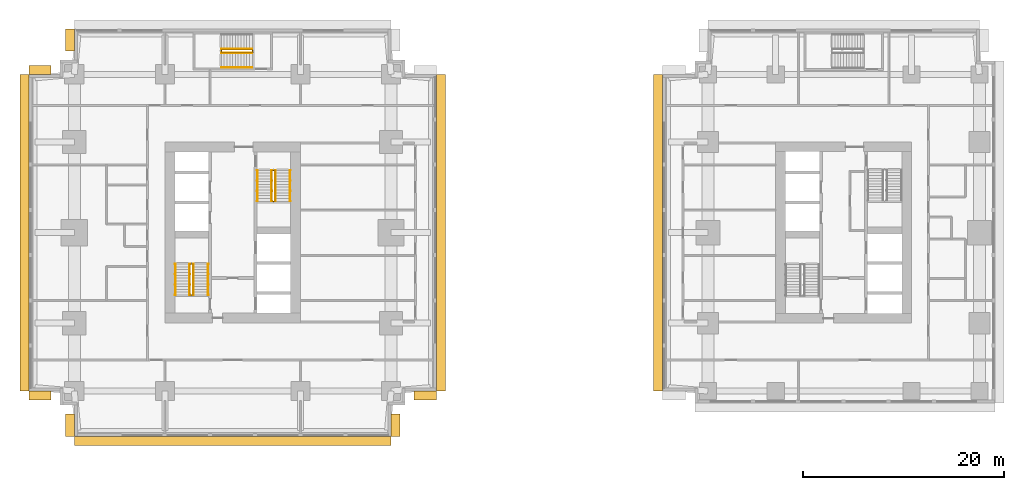
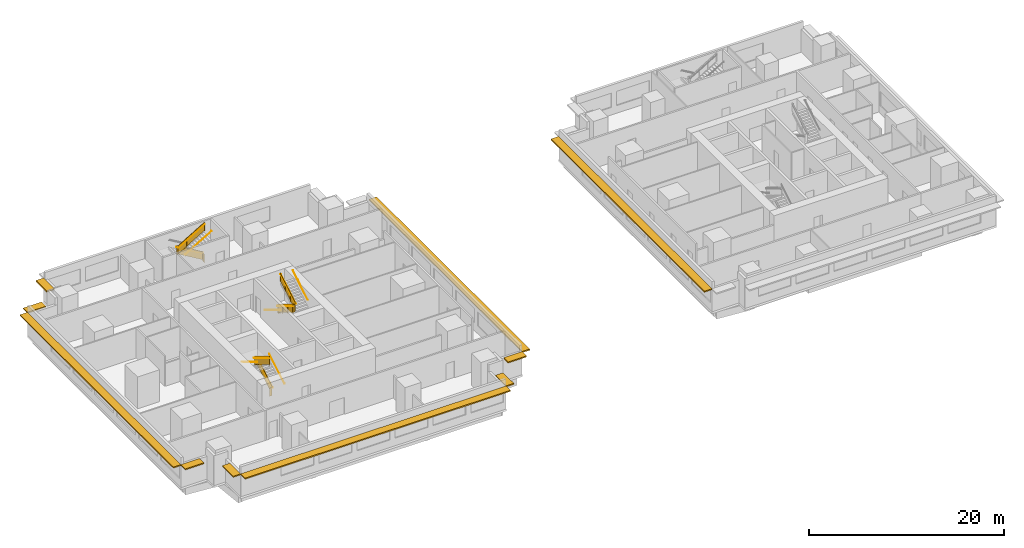
# One storey, part 9 of 11: 14 railings, 10 shading devices.
"""IFC4 building model written with IfcOpenShell, lengths in metres."""

from ifc_helpers import new_model, si_unit, direction, frame, origin, origin_2d, place, context, subcontext, project, spatial, polyline, rectangle, circle, outline, extrude, material, layer, layer_set, type_object, element, save


model = new_model("IFC4")

# Units and contexts
model_context = context("Model", 3, precision=1e-05, world=origin(), true_north=direction((0.0, 1.0)))
body_context = subcontext(model_context, "Body", "Model", "MODEL_VIEW")
ifc_project = project(units=[si_unit("LENGTHUNIT", "METRE"), si_unit("AREAUNIT", "SQUARE_METRE"), si_unit("VOLUMEUNIT", "CUBIC_METRE"), si_unit("PLANEANGLEUNIT", "RADIAN"), si_unit("MASSUNIT", "GRAM", prefix="KILO")], contexts=[model_context])

# Site, building, storey
site_placement = place(None, origin())
site = spatial("IfcSite", under=ifc_project, at=site_placement, CompositionType="ELEMENT")
building_placement = place(site_placement, origin())
building = spatial("IfcBuilding", under=site, at=building_placement, Name="Namib Vertical Campus", CompositionType="ELEMENT")
storey_placement = place(building_placement, frame((0.0, 0.0, 85.0)))
storey = spatial("IfcBuildingStorey", under=building, at=storey_placement, Name="L19", CompositionType="ELEMENT", Elevation=85.0)

# Railings
ifc_material_1 = material(Name="Steel handrail", Category="steel")
railing_type_1 = type_object("IfcRailingType", Name="Handrail 900", PredefinedType="HANDRAIL", material=ifc_material_1)
railing_1_placement = place(storey_placement, frame((17.800048828125, 14.050048828125, 0.166748046875)))
element("IfcRailing", 1, at=railing_1_placement, inside=storey, type_object=railing_type_1, Name="Handrail HR1 A-S1 L19 1", PredefinedType="HANDRAIL", context=body_context, shape_type="SweptSolid", body=[
    extrude(circle(Radius=0.02392578125, at=origin_2d()), frame((0.0, 0.0, 0.8759765625), z_axis=(0.0, 0.859290745958, 0.51148745235), x_axis=(-1.0, 0.0, 0.0)), (0.0, 0.0, 1.0), 3.584228515625),
    extrude(circle(Radius=0.008056640625, at=origin_2d()), frame((0.0, 0.0, 0.8759765625), z_axis=(1.0, 0.0, 0.0), x_axis=(0.0, 0.0, 1.0)), (0.0, 0.0, 1.0), 0.050048828125),
    extrude(circle(Radius=0.008056640625, at=origin_2d()), frame((0.0, 1.026611328125, 1.48681640625), z_axis=(1.0, 0.0, 0.0), x_axis=(0.0, 0.0, 1.0)), (0.0, 0.0, 1.0), 0.050048828125),
    extrude(circle(Radius=0.008056640625, at=origin_2d()), frame((0.0, 2.05322265625, 2.09814453125), z_axis=(1.0, 0.0, 0.0), x_axis=(0.0, 0.0, 1.0)), (0.0, 0.0, 1.0), 0.050048828125),
    extrude(circle(Radius=0.008056640625, at=origin_2d()), frame((0.0, 3.079833984375, 2.708984375), z_axis=(1.0, 0.0, 0.0), x_axis=(0.0, 0.0, 1.0)), (0.0, 0.0, 1.0), 0.050048828125),
])
railing_2_placement = place(storey_placement, frame((14.550048828125, 17.1298828125, 2.166748046875)))
element("IfcRailing", 2, at=railing_2_placement, inside=storey, type_object=railing_type_1, Name="Handrail HR1 A-S1 L19 2", PredefinedType="HANDRAIL", context=body_context, shape_type="SweptSolid", body=[
    extrude(circle(Radius=0.02392578125, at=origin_2d()), frame((0.0, 0.0, 0.8759765625), z_axis=(0.0, -0.859290745958, 0.51148745235), x_axis=(1.0, 0.0, 0.0)), (0.0, 0.0, 1.0), 3.584228515625),
    extrude(circle(Radius=0.008056640625, at=origin_2d()), frame((0.0, 0.0, 0.8759765625), z_axis=(-1.0, 0.0, 0.0), x_axis=(0.0, 0.0, 1.0)), (0.0, 0.0, 1.0), 0.050048828125),
    extrude(circle(Radius=0.008056640625, at=origin_2d()), frame((0.0, -1.026611328125, 1.48681640625), z_axis=(-1.0, 0.0, 0.0), x_axis=(0.0, 0.0, 1.0)), (0.0, 0.0, 1.0), 0.050048828125),
    extrude(circle(Radius=0.008056640625, at=origin_2d()), frame((0.0, -2.05322265625, 2.09814453125), z_axis=(-1.0, 0.0, 0.0), x_axis=(0.0, 0.0, 1.0)), (0.0, 0.0, 1.0), 0.050048828125),
    extrude(circle(Radius=0.008056640625, at=origin_2d()), frame((0.0, -3.079833984375, 2.708984375), z_axis=(-1.0, 0.0, 0.0), x_axis=(0.0, 0.0, 1.0)), (0.0, 0.0, 1.0), 0.050048828125),
])
railing_3_placement = place(storey_placement, frame((16.375, 14.050048828125, 0.166748046875)))
element("IfcRailing", 3, at=railing_3_placement, inside=storey, type_object=railing_type_1, Name="Handrail HR1 A-S1 L19 1 at the well", PredefinedType="HANDRAIL", context=body_context, shape_type="SweptSolid", body=[
    extrude(circle(Radius=0.02392578125, at=origin_2d()), frame((0.0, 0.0, 0.8759765625), z_axis=(0.0, 0.859290745958, 0.51148745235), x_axis=(-1.0, 0.0, 0.0)), (0.0, 0.0, 1.0), 3.584228515625),
    extrude(circle(Radius=0.008056640625, at=origin_2d()), frame((0.0, 0.0, 0.8759765625), z_axis=(-1.0, 0.0, 0.0), x_axis=(0.0, 0.0, 1.0)), (0.0, 0.0, 1.0), 0.0400390625),
    extrude(circle(Radius=0.008056640625, at=origin_2d()), frame((0.0, 1.026611328125, 1.48681640625), z_axis=(-1.0, 0.0, 0.0), x_axis=(0.0, 0.0, 1.0)), (0.0, 0.0, 1.0), 0.0400390625),
    extrude(circle(Radius=0.008056640625, at=origin_2d()), frame((0.0, 2.05322265625, 2.09814453125), z_axis=(-1.0, 0.0, 0.0), x_axis=(0.0, 0.0, 1.0)), (0.0, 0.0, 1.0), 0.0400390625),
    extrude(circle(Radius=0.008056640625, at=origin_2d()), frame((0.0, 3.079833984375, 2.708984375), z_axis=(-1.0, 0.0, 0.0), x_axis=(0.0, 0.0, 1.0)), (0.0, 0.0, 1.0), 0.0400390625),
])
railing_4_placement = place(storey_placement, frame((15.97509765625, 17.1298828125, 2.166748046875)))
element("IfcRailing", 4, at=railing_4_placement, inside=storey, type_object=railing_type_1, Name="Handrail HR1 A-S1 L19 2 at the well", PredefinedType="HANDRAIL", context=body_context, shape_type="SweptSolid", body=[
    extrude(circle(Radius=0.02392578125, at=origin_2d()), frame((0.0, 0.0, 0.8759765625), z_axis=(0.0, -0.859290745958, 0.51148745235), x_axis=(1.0, 0.0, 0.0)), (0.0, 0.0, 1.0), 3.584228515625),
    extrude(circle(Radius=0.008056640625, at=origin_2d()), frame((0.0, 0.0, 0.8759765625), z_axis=(1.0, 0.0, 0.0), x_axis=(0.0, 0.0, 1.0)), (0.0, 0.0, 1.0), 0.0400390625),
    extrude(circle(Radius=0.008056640625, at=origin_2d()), frame((0.0, -1.026611328125, 1.48681640625), z_axis=(1.0, 0.0, 0.0), x_axis=(0.0, 0.0, 1.0)), (0.0, 0.0, 1.0), 0.0400390625),
    extrude(circle(Radius=0.008056640625, at=origin_2d()), frame((0.0, -2.05322265625, 2.09814453125), z_axis=(1.0, 0.0, 0.0), x_axis=(0.0, 0.0, 1.0)), (0.0, 0.0, 1.0), 0.0400390625),
    extrude(circle(Radius=0.008056640625, at=origin_2d()), frame((0.0, -3.079833984375, 2.708984375), z_axis=(1.0, 0.0, 0.0), x_axis=(0.0, 0.0, 1.0)), (0.0, 0.0, 1.0), 0.0400390625),
])
railing_5_placement = place(storey_placement, frame((22.699951171875, 26.449951171875, 0.166748046875)))
element("IfcRailing", 5, at=railing_5_placement, inside=storey, type_object=railing_type_1, Name="Handrail HR1 A-S2 L19 1", PredefinedType="HANDRAIL", context=body_context, shape_type="SweptSolid", body=[
    extrude(circle(Radius=0.02392578125, at=origin_2d()), frame((0.0, 0.0, 0.8759765625), z_axis=(0.0, -0.859290745958, 0.51148745235), x_axis=(1.0, 0.0, 0.0)), (0.0, 0.0, 1.0), 3.584228515625),
    extrude(circle(Radius=0.008056640625, at=origin_2d()), frame((0.0, 0.0, 0.8759765625), z_axis=(-1.0, 0.0, 0.0), x_axis=(0.0, 0.0, 1.0)), (0.0, 0.0, 1.0), 0.050048828125),
    extrude(circle(Radius=0.008056640625, at=origin_2d()), frame((0.0, -1.026611328125, 1.48681640625), z_axis=(-1.0, 0.0, 0.0), x_axis=(0.0, 0.0, 1.0)), (0.0, 0.0, 1.0), 0.050048828125),
    extrude(circle(Radius=0.008056640625, at=origin_2d()), frame((0.0, -2.05322265625, 2.09814453125), z_axis=(-1.0, 0.0, 0.0), x_axis=(0.0, 0.0, 1.0)), (0.0, 0.0, 1.0), 0.050048828125),
    extrude(circle(Radius=0.008056640625, at=origin_2d()), frame((0.0, -3.079833984375, 2.708984375), z_axis=(-1.0, 0.0, 0.0), x_axis=(0.0, 0.0, 1.0)), (0.0, 0.0, 1.0), 0.050048828125),
])
railing_6_placement = place(storey_placement, frame((25.949951171875, 23.3701171875, 2.166748046875)))
element("IfcRailing", 6, at=railing_6_placement, inside=storey, type_object=railing_type_1, Name="Handrail HR1 A-S2 L19 2", PredefinedType="HANDRAIL", context=body_context, shape_type="SweptSolid", body=[
    extrude(circle(Radius=0.02392578125, at=origin_2d()), frame((0.0, 0.0, 0.8759765625), z_axis=(0.0, 0.859290745958, 0.51148745235), x_axis=(-1.0, 0.0, 0.0)), (0.0, 0.0, 1.0), 3.584228515625),
    extrude(circle(Radius=0.008056640625, at=origin_2d()), frame((0.0, 0.0, 0.8759765625), z_axis=(1.0, 0.0, 0.0), x_axis=(0.0, 0.0, 1.0)), (0.0, 0.0, 1.0), 0.050048828125),
    extrude(circle(Radius=0.008056640625, at=origin_2d()), frame((0.0, 1.026611328125, 1.48681640625), z_axis=(1.0, 0.0, 0.0), x_axis=(0.0, 0.0, 1.0)), (0.0, 0.0, 1.0), 0.050048828125),
    extrude(circle(Radius=0.008056640625, at=origin_2d()), frame((0.0, 2.05322265625, 2.09814453125), z_axis=(1.0, 0.0, 0.0), x_axis=(0.0, 0.0, 1.0)), (0.0, 0.0, 1.0), 0.050048828125),
    extrude(circle(Radius=0.008056640625, at=origin_2d()), frame((0.0, 3.079833984375, 2.708984375), z_axis=(1.0, 0.0, 0.0), x_axis=(0.0, 0.0, 1.0)), (0.0, 0.0, 1.0), 0.050048828125),
])
railing_7_placement = place(storey_placement, frame((24.125, 26.449951171875, 0.166748046875)))
element("IfcRailing", 7, at=railing_7_placement, inside=storey, type_object=railing_type_1, Name="Handrail HR1 A-S2 L19 1 at the well", PredefinedType="HANDRAIL", context=body_context, shape_type="SweptSolid", body=[
    extrude(circle(Radius=0.02392578125, at=origin_2d()), frame((0.0, 0.0, 0.8759765625), z_axis=(0.0, -0.859290745958, 0.51148745235), x_axis=(1.0, 0.0, 0.0)), (0.0, 0.0, 1.0), 3.584228515625),
    extrude(circle(Radius=0.008056640625, at=origin_2d()), frame((0.0, 0.0, 0.8759765625), z_axis=(1.0, 0.0, 0.0), x_axis=(0.0, 0.0, 1.0)), (0.0, 0.0, 1.0), 0.0400390625),
    extrude(circle(Radius=0.008056640625, at=origin_2d()), frame((0.0, -1.026611328125, 1.48681640625), z_axis=(1.0, 0.0, 0.0), x_axis=(0.0, 0.0, 1.0)), (0.0, 0.0, 1.0), 0.0400390625),
    extrude(circle(Radius=0.008056640625, at=origin_2d()), frame((0.0, -2.05322265625, 2.09814453125), z_axis=(1.0, 0.0, 0.0), x_axis=(0.0, 0.0, 1.0)), (0.0, 0.0, 1.0), 0.0400390625),
    extrude(circle(Radius=0.008056640625, at=origin_2d()), frame((0.0, -3.079833984375, 2.708984375), z_axis=(1.0, 0.0, 0.0), x_axis=(0.0, 0.0, 1.0)), (0.0, 0.0, 1.0), 0.0400390625),
])
railing_8_placement = place(storey_placement, frame((24.52490234375, 23.3701171875, 2.166748046875)))
element("IfcRailing", 8, at=railing_8_placement, inside=storey, type_object=railing_type_1, Name="Handrail HR1 A-S2 L19 2 at the well", PredefinedType="HANDRAIL", context=body_context, shape_type="SweptSolid", body=[
    extrude(circle(Radius=0.02392578125, at=origin_2d()), frame((0.0, 0.0, 0.8759765625), z_axis=(0.0, 0.859290745958, 0.51148745235), x_axis=(-1.0, 0.0, 0.0)), (0.0, 0.0, 1.0), 3.584228515625),
    extrude(circle(Radius=0.008056640625, at=origin_2d()), frame((0.0, 0.0, 0.8759765625), z_axis=(-1.0, 0.0, 0.0), x_axis=(0.0, 0.0, 1.0)), (0.0, 0.0, 1.0), 0.0400390625),
    extrude(circle(Radius=0.008056640625, at=origin_2d()), frame((0.0, 1.026611328125, 1.48681640625), z_axis=(-1.0, 0.0, 0.0), x_axis=(0.0, 0.0, 1.0)), (0.0, 0.0, 1.0), 0.0400390625),
    extrude(circle(Radius=0.008056640625, at=origin_2d()), frame((0.0, 2.05322265625, 2.09814453125), z_axis=(-1.0, 0.0, 0.0), x_axis=(0.0, 0.0, 1.0)), (0.0, 0.0, 1.0), 0.0400390625),
    extrude(circle(Radius=0.008056640625, at=origin_2d()), frame((0.0, 3.079833984375, 2.708984375), z_axis=(-1.0, 0.0, 0.0), x_axis=(0.0, 0.0, 1.0)), (0.0, 0.0, 1.0), 0.0400390625),
])
railing_9_placement = place(storey_placement, frame((19.1201171875, 36.699951171875, 2.166748046875)))
element("IfcRailing", 9, at=railing_9_placement, inside=storey, type_object=railing_type_1, Name="Handrail HR1 A-S3 L19 2", PredefinedType="HANDRAIL", context=body_context, shape_type="SweptSolid", body=[
    extrude(circle(Radius=0.02392578125, at=origin_2d()), frame((0.0, 0.0, 0.8759765625), z_axis=(0.859290745958, 0.0, 0.51148745235), x_axis=(0.0, 1.0, 0.0)), (0.0, 0.0, 1.0), 3.584228515625),
    extrude(circle(Radius=0.008056640625, at=origin_2d()), frame((0.0, 0.0, 0.8759765625), z_axis=(0.0, -1.0, 0.0), x_axis=(0.0, 0.0, 1.0)), (0.0, 0.0, 1.0), 0.050048828125),
    extrude(circle(Radius=0.008056640625, at=origin_2d()), frame((1.026611328125, 0.0, 1.48681640625), z_axis=(0.0, -1.0, 0.0), x_axis=(0.0, 0.0, 1.0)), (0.0, 0.0, 1.0), 0.050048828125),
    extrude(circle(Radius=0.008056640625, at=origin_2d()), frame((2.05322265625, 0.0, 2.09814453125), z_axis=(0.0, -1.0, 0.0), x_axis=(0.0, 0.0, 1.0)), (0.0, 0.0, 1.0), 0.050048828125),
    extrude(circle(Radius=0.008056640625, at=origin_2d()), frame((3.079833984375, 0.0, 2.708984375), z_axis=(0.0, -1.0, 0.0), x_axis=(0.0, 0.0, 1.0)), (0.0, 0.0, 1.0), 0.050048828125),
])
railing_10_placement = place(storey_placement, frame((22.199951171875, 38.52490234375, 0.166748046875)))
element("IfcRailing", 10, at=railing_10_placement, inside=storey, type_object=railing_type_1, Name="Handrail HR1 A-S3 L19 1 at the well", PredefinedType="HANDRAIL", context=body_context, shape_type="SweptSolid", body=[
    extrude(circle(Radius=0.02392578125, at=origin_2d()), frame((0.0, 0.0, 0.8759765625), z_axis=(-0.859290745958, 0.0, 0.51148745235), x_axis=(0.0, -1.0, 0.0)), (0.0, 0.0, 1.0), 3.584228515625),
    extrude(circle(Radius=0.008056640625, at=origin_2d()), frame((0.0, 0.0, 0.8759765625), z_axis=(0.0, -1.0, 0.0), x_axis=(0.0, 0.0, 1.0)), (0.0, 0.0, 1.0), 0.0400390625),
    extrude(circle(Radius=0.008056640625, at=origin_2d()), frame((-1.026611328125, 0.0, 1.48681640625), z_axis=(0.0, -1.0, 0.0), x_axis=(0.0, 0.0, 1.0)), (0.0, 0.0, 1.0), 0.0400390625),
    extrude(circle(Radius=0.008056640625, at=origin_2d()), frame((-2.05322265625, 0.0, 2.09814453125), z_axis=(0.0, -1.0, 0.0), x_axis=(0.0, 0.0, 1.0)), (0.0, 0.0, 1.0), 0.0400390625),
    extrude(circle(Radius=0.008056640625, at=origin_2d()), frame((-3.079833984375, 0.0, 2.708984375), z_axis=(0.0, -1.0, 0.0), x_axis=(0.0, 0.0, 1.0)), (0.0, 0.0, 1.0), 0.0400390625),
])
railing_11_placement = place(storey_placement, frame((19.1201171875, 38.125, 2.166748046875)))
element("IfcRailing", 11, at=railing_11_placement, inside=storey, type_object=railing_type_1, Name="Handrail HR1 A-S3 L19 2 at the well", PredefinedType="HANDRAIL", context=body_context, shape_type="SweptSolid", body=[
    extrude(circle(Radius=0.02392578125, at=origin_2d()), frame((0.0, 0.0, 0.8759765625), z_axis=(0.859290745958, 0.0, 0.51148745235), x_axis=(0.0, 1.0, 0.0)), (0.0, 0.0, 1.0), 3.584228515625),
    extrude(circle(Radius=0.008056640625, at=origin_2d()), frame((0.0, 0.0, 0.8759765625), z_axis=(0.0, 1.0, 0.0), x_axis=(0.0, 0.0, 1.0)), (0.0, 0.0, 1.0), 0.0400390625),
    extrude(circle(Radius=0.008056640625, at=origin_2d()), frame((1.026611328125, 0.0, 1.48681640625), z_axis=(0.0, 1.0, 0.0), x_axis=(0.0, 0.0, 1.0)), (0.0, 0.0, 1.0), 0.0400390625),
    extrude(circle(Radius=0.008056640625, at=origin_2d()), frame((2.05322265625, 0.0, 2.09814453125), z_axis=(0.0, 1.0, 0.0), x_axis=(0.0, 0.0, 1.0)), (0.0, 0.0, 1.0), 0.0400390625),
    extrude(circle(Radius=0.008056640625, at=origin_2d()), frame((3.079833984375, 0.0, 2.708984375), z_axis=(0.0, 1.0, 0.0), x_axis=(0.0, 0.0, 1.0)), (0.0, 0.0, 1.0), 0.0400390625),
])
ifc_material_2 = material(Name="Steel balustrade", Category="steel")
railing_type_2 = type_object("IfcRailingType", Name="Stair guard 1100", PredefinedType="GUARDRAIL", material=ifc_material_2)
railing_12_placement = place(storey_placement, frame((16.02490234375, 14.050048828125, 0.0)))
element("IfcRailing", 12, at=railing_12_placement, inside=storey, type_object=railing_type_2, Name="Stair guard GR1 A-S1 L19", PredefinedType="GUARDRAIL", context=body_context, shape_type="SweptSolid", body=[
    extrude(circle(Radius=0.02392578125, at=origin_2d()), frame((0.0, 0.0, 1.076171875), z_axis=(1.0, 0.0, 0.0), x_axis=(0.0, 1.0, 0.0)), (0.0, 0.0, 1.0), 0.300048828125),
    extrude(outline(polyline([(0.02099609375, 0.050048828125), (0.279052734375, 0.050048828125), (0.279052734375, 1.052001953125), (0.02099609375, 1.052001953125), (0.02099609375, 0.050048828125)])), frame((0.0, 0.010009765625, 0.0), z_axis=(0.0, -1.0, 0.0), x_axis=(1.0, 0.0, 0.0)), (0.0, 0.0, 1.0), 0.02001953125),
    extrude(circle(Radius=0.02392578125, at=origin_2d()), frame((0.300048828125, 0.0, 1.076171875), z_axis=(0.0, 0.0, 1.0), x_axis=(1.0, 0.0, 0.0)), (0.0, 0.0, 1.0), 0.166748046875),
    extrude(circle(Radius=0.02392578125, at=origin_2d()), frame((0.300048828125, 0.0, 1.24267578125), z_axis=(0.0, 0.859290745958, 0.51148745235), x_axis=(-1.0, 0.0, 0.0)), (0.0, 0.0, 1.0), 3.584228515625),
    extrude(outline(polyline([(0.02099609375, 0.0625), (3.058837890625, 1.870849609375), (3.058837890625, 2.872802734375), (0.02099609375, 1.064453125), (0.02099609375, 0.0625)])), frame((0.2900390625, 0.0, 0.166748046875), z_axis=(1.0, 0.0, 0.0), x_axis=(0.0, 1.0, 0.0)), (0.0, 0.0, 1.0), 0.02001953125),
    extrude(circle(Radius=0.02392578125, at=origin_2d()), frame((0.300048828125, 3.079833984375, 3.076171875), z_axis=(-1.0, 0.0, 0.0), x_axis=(0.0, -1.0, 0.0)), (0.0, 0.0, 1.0), 0.300048828125),
    extrude(outline(polyline([(0.02099609375, 0.050048828125), (0.279052734375, 0.050048828125), (0.279052734375, 1.052001953125), (0.02099609375, 1.052001953125), (0.02099609375, 0.050048828125)])), frame((0.300048828125, 3.06982421875, 2.0), z_axis=(0.0, 1.0, 0.0), x_axis=(-1.0, 0.0, 0.0)), (0.0, 0.0, 1.0), 0.02001953125),
    extrude(circle(Radius=0.02392578125, at=origin_2d()), frame((0.0, 3.079833984375, 3.076171875), z_axis=(0.0, 0.0, 1.0), x_axis=(1.0, 0.0, 0.0)), (0.0, 0.0, 1.0), 0.166748046875),
    extrude(circle(Radius=0.02392578125, at=origin_2d()), frame((0.0, 3.079833984375, 3.24267578125), z_axis=(0.0, -0.859290745958, 0.51148745235), x_axis=(1.0, 0.0, 0.0)), (0.0, 0.0, 1.0), 3.584228515625),
    extrude(outline(polyline([(0.02099609375, 0.0625), (3.058837890625, 1.870849609375), (3.058837890625, 2.872802734375), (0.02099609375, 1.064453125), (0.02099609375, 0.0625)])), frame((0.010009765625, 3.079833984375, 2.166748046875), z_axis=(-1.0, 0.0, 0.0), x_axis=(0.0, -1.0, 0.0)), (0.0, 0.0, 1.0), 0.02001953125),
    extrude(circle(Radius=0.02392578125, at=origin_2d()), frame((0.0, 0.0, 5.076171875), z_axis=(0.0, -1.0, 0.0), x_axis=(1.0, 0.0, 0.0)), (0.0, 0.0, 1.0), 0.050048828125),
    extrude(outline(polyline([(0.02099609375, 0.050048828125), (0.029052734375, 0.050048828125), (0.029052734375, 1.052001953125), (0.02099609375, 1.052001953125), (0.02099609375, 0.050048828125)])), frame((0.010009765625, 0.0, 4.0), z_axis=(-1.0, 0.0, 0.0), x_axis=(0.0, -1.0, 0.0)), (0.0, 0.0, 1.0), 0.02001953125),
    extrude(circle(Radius=0.02099609375, at=origin_2d()), origin(), (0.0, 0.0, 1.0), 1.052001953125),
    extrude(circle(Radius=0.02099609375, at=origin_2d()), frame((0.300048828125, 0.0, 0.166748046875)), (0.0, 0.0, 1.0), 1.052001953125),
    extrude(circle(Radius=0.02099609375, at=origin_2d()), frame((0.300048828125, 1.026611328125, 0.666748046875)), (0.0, 0.0, 1.0), 1.1630859375),
    extrude(circle(Radius=0.02099609375, at=origin_2d()), frame((0.300048828125, 2.05322265625, 1.33349609375)), (0.0, 0.0, 1.0), 1.107421875),
    extrude(circle(Radius=0.02099609375, at=origin_2d()), frame((0.300048828125, 3.079833984375, 2.0)), (0.0, 0.0, 1.0), 1.052001953125),
    extrude(circle(Radius=0.02099609375, at=origin_2d()), frame((0.0, 3.079833984375, 2.166748046875)), (0.0, 0.0, 1.0), 1.052001953125),
    extrude(circle(Radius=0.02099609375, at=origin_2d()), frame((0.0, 2.05322265625, 2.666748046875)), (0.0, 0.0, 1.0), 1.1630859375),
    extrude(circle(Radius=0.02099609375, at=origin_2d()), frame((0.0, 1.026611328125, 3.33349609375)), (0.0, 0.0, 1.0), 1.107421875),
    extrude(circle(Radius=0.02099609375, at=origin_2d()), frame((0.0, 0.0, 4.0)), (0.0, 0.0, 1.0), 1.052001953125),
    extrude(circle(Radius=0.02099609375, at=origin_2d()), frame((0.0, -0.050048828125, 4.0)), (0.0, 0.0, 1.0), 1.052001953125),
])
railing_13_placement = place(storey_placement, frame((24.47509765625, 26.449951171875, 0.0)))
element("IfcRailing", 13, at=railing_13_placement, inside=storey, type_object=railing_type_2, Name="Stair guard GR1 A-S2 L19", PredefinedType="GUARDRAIL", context=body_context, shape_type="SweptSolid", body=[
    extrude(circle(Radius=0.02392578125, at=origin_2d()), frame((0.0, 0.0, 1.076171875), z_axis=(-1.0, 0.0, 0.0), x_axis=(0.0, -1.0, 0.0)), (0.0, 0.0, 1.0), 0.300048828125),
    extrude(outline(polyline([(0.02099609375, 0.050048828125), (0.279052734375, 0.050048828125), (0.279052734375, 1.052001953125), (0.02099609375, 1.052001953125), (0.02099609375, 0.050048828125)])), frame((0.0, -0.010009765625, 0.0), z_axis=(0.0, 1.0, 0.0), x_axis=(-1.0, 0.0, 0.0)), (0.0, 0.0, 1.0), 0.02001953125),
    extrude(circle(Radius=0.02392578125, at=origin_2d()), frame((-0.300048828125, 0.0, 1.076171875), z_axis=(0.0, 0.0, 1.0), x_axis=(1.0, 0.0, 0.0)), (0.0, 0.0, 1.0), 0.166748046875),
    extrude(circle(Radius=0.02392578125, at=origin_2d()), frame((-0.300048828125, 0.0, 1.24267578125), z_axis=(0.0, -0.859290745958, 0.51148745235), x_axis=(1.0, 0.0, 0.0)), (0.0, 0.0, 1.0), 3.584228515625),
    extrude(outline(polyline([(0.02099609375, 0.0625), (3.058837890625, 1.870849609375), (3.058837890625, 2.872802734375), (0.02099609375, 1.064453125), (0.02099609375, 0.0625)])), frame((-0.2900390625, 0.0, 0.166748046875), z_axis=(-1.0, 0.0, 0.0), x_axis=(0.0, -1.0, 0.0)), (0.0, 0.0, 1.0), 0.02001953125),
    extrude(circle(Radius=0.02392578125, at=origin_2d()), frame((-0.300048828125, -3.079833984375, 3.076171875), z_axis=(1.0, 0.0, 0.0), x_axis=(0.0, 1.0, 0.0)), (0.0, 0.0, 1.0), 0.300048828125),
    extrude(outline(polyline([(0.02099609375, 0.050048828125), (0.279052734375, 0.050048828125), (0.279052734375, 1.052001953125), (0.02099609375, 1.052001953125), (0.02099609375, 0.050048828125)])), frame((-0.300048828125, -3.06982421875, 2.0), z_axis=(0.0, -1.0, 0.0), x_axis=(1.0, 0.0, 0.0)), (0.0, 0.0, 1.0), 0.02001953125),
    extrude(circle(Radius=0.02392578125, at=origin_2d()), frame((0.0, -3.079833984375, 3.076171875), z_axis=(0.0, 0.0, 1.0), x_axis=(1.0, 0.0, 0.0)), (0.0, 0.0, 1.0), 0.166748046875),
    extrude(circle(Radius=0.02392578125, at=origin_2d()), frame((0.0, -3.079833984375, 3.24267578125), z_axis=(0.0, 0.859290745958, 0.51148745235), x_axis=(-1.0, 0.0, 0.0)), (0.0, 0.0, 1.0), 3.584228515625),
    extrude(outline(polyline([(0.02099609375, 0.0625), (3.058837890625, 1.870849609375), (3.058837890625, 2.872802734375), (0.02099609375, 1.064453125), (0.02099609375, 0.0625)])), frame((-0.010009765625, -3.079833984375, 2.166748046875), z_axis=(1.0, 0.0, 0.0), x_axis=(0.0, 1.0, 0.0)), (0.0, 0.0, 1.0), 0.02001953125),
    extrude(circle(Radius=0.02392578125, at=origin_2d()), frame((0.0, 0.0, 5.076171875), z_axis=(0.0, 1.0, 0.0), x_axis=(-1.0, 0.0, 0.0)), (0.0, 0.0, 1.0), 0.050048828125),
    extrude(outline(polyline([(0.02099609375, 0.050048828125), (0.029052734375, 0.050048828125), (0.029052734375, 1.052001953125), (0.02099609375, 1.052001953125), (0.02099609375, 0.050048828125)])), frame((-0.010009765625, 0.0, 4.0), z_axis=(1.0, 0.0, 0.0), x_axis=(0.0, 1.0, 0.0)), (0.0, 0.0, 1.0), 0.02001953125),
    extrude(circle(Radius=0.02099609375, at=origin_2d()), origin(), (0.0, 0.0, 1.0), 1.052001953125),
    extrude(circle(Radius=0.02099609375, at=origin_2d()), frame((-0.300048828125, 0.0, 0.166748046875)), (0.0, 0.0, 1.0), 1.052001953125),
    extrude(circle(Radius=0.02099609375, at=origin_2d()), frame((-0.300048828125, -1.026611328125, 0.666748046875)), (0.0, 0.0, 1.0), 1.1630859375),
    extrude(circle(Radius=0.02099609375, at=origin_2d()), frame((-0.300048828125, -2.05322265625, 1.33349609375)), (0.0, 0.0, 1.0), 1.107421875),
    extrude(circle(Radius=0.02099609375, at=origin_2d()), frame((-0.300048828125, -3.079833984375, 2.0)), (0.0, 0.0, 1.0), 1.052001953125),
    extrude(circle(Radius=0.02099609375, at=origin_2d()), frame((0.0, -3.079833984375, 2.166748046875)), (0.0, 0.0, 1.0), 1.052001953125),
    extrude(circle(Radius=0.02099609375, at=origin_2d()), frame((0.0, -2.05322265625, 2.666748046875)), (0.0, 0.0, 1.0), 1.1630859375),
    extrude(circle(Radius=0.02099609375, at=origin_2d()), frame((0.0, -1.026611328125, 3.33349609375)), (0.0, 0.0, 1.0), 1.107421875),
    extrude(circle(Radius=0.02099609375, at=origin_2d()), frame((0.0, 0.0, 4.0)), (0.0, 0.0, 1.0), 1.052001953125),
    extrude(circle(Radius=0.02099609375, at=origin_2d()), frame((0.0, 0.050048828125, 4.0)), (0.0, 0.0, 1.0), 1.052001953125),
])
railing_14_placement = place(storey_placement, frame((22.199951171875, 38.175048828125, 0.0)))
element("IfcRailing", 14, at=railing_14_placement, inside=storey, type_object=railing_type_2, Name="Stair guard GR1 A-S3 L19", PredefinedType="GUARDRAIL", context=body_context, shape_type="SweptSolid", body=[
    extrude(circle(Radius=0.02392578125, at=origin_2d()), frame((0.0, 0.0, 1.076171875), z_axis=(0.0, 1.0, 0.0), x_axis=(-1.0, 0.0, 0.0)), (0.0, 0.0, 1.0), 0.300048828125),
    extrude(outline(polyline([(0.02099609375, 0.050048828125), (0.279052734375, 0.050048828125), (0.279052734375, 1.052001953125), (0.02099609375, 1.052001953125), (0.02099609375, 0.050048828125)])), frame((-0.010009765625, 0.0, 0.0), z_axis=(1.0, 0.0, 0.0), x_axis=(0.0, 1.0, 0.0)), (0.0, 0.0, 1.0), 0.02001953125),
    extrude(circle(Radius=0.02392578125, at=origin_2d()), frame((0.0, 0.300048828125, 1.076171875), z_axis=(0.0, 0.0, 1.0), x_axis=(1.0, 0.0, 0.0)), (0.0, 0.0, 1.0), 0.166748046875),
    extrude(circle(Radius=0.02392578125, at=origin_2d()), frame((0.0, 0.300048828125, 1.24267578125), z_axis=(-0.859290745958, 0.0, 0.51148745235), x_axis=(0.0, -1.0, 0.0)), (0.0, 0.0, 1.0), 3.584228515625),
    extrude(outline(polyline([(0.02099609375, 0.0625), (3.058837890625, 1.870849609375), (3.058837890625, 2.872802734375), (0.02099609375, 1.064453125), (0.02099609375, 0.0625)])), frame((0.0, 0.2900390625, 0.166748046875), z_axis=(0.0, 1.0, 0.0), x_axis=(-1.0, 0.0, 0.0)), (0.0, 0.0, 1.0), 0.02001953125),
    extrude(circle(Radius=0.02392578125, at=origin_2d()), frame((-3.079833984375, 0.300048828125, 3.076171875), z_axis=(0.0, -1.0, 0.0), x_axis=(1.0, 0.0, 0.0)), (0.0, 0.0, 1.0), 0.300048828125),
    extrude(outline(polyline([(0.02099609375, 0.050048828125), (0.279052734375, 0.050048828125), (0.279052734375, 1.052001953125), (0.02099609375, 1.052001953125), (0.02099609375, 0.050048828125)])), frame((-3.06982421875, 0.300048828125, 2.0), z_axis=(-1.0, 0.0, 0.0), x_axis=(0.0, -1.0, 0.0)), (0.0, 0.0, 1.0), 0.02001953125),
    extrude(circle(Radius=0.02392578125, at=origin_2d()), frame((-3.079833984375, 0.0, 3.076171875), z_axis=(0.0, 0.0, 1.0), x_axis=(1.0, 0.0, 0.0)), (0.0, 0.0, 1.0), 0.166748046875),
    extrude(circle(Radius=0.02392578125, at=origin_2d()), frame((-3.079833984375, 0.0, 3.24267578125), z_axis=(0.859290745958, 0.0, 0.51148745235), x_axis=(0.0, 1.0, 0.0)), (0.0, 0.0, 1.0), 3.584228515625),
    extrude(outline(polyline([(0.02099609375, 0.0625), (3.058837890625, 1.870849609375), (3.058837890625, 2.872802734375), (0.02099609375, 1.064453125), (0.02099609375, 0.0625)])), frame((-3.079833984375, 0.010009765625, 2.166748046875), z_axis=(0.0, -1.0, 0.0), x_axis=(1.0, 0.0, 0.0)), (0.0, 0.0, 1.0), 0.02001953125),
    extrude(circle(Radius=0.02392578125, at=origin_2d()), frame((0.0, 0.0, 5.076171875), z_axis=(1.0, 0.0, 0.0), x_axis=(0.0, 1.0, 0.0)), (0.0, 0.0, 1.0), 0.050048828125),
    extrude(outline(polyline([(0.02099609375, 0.050048828125), (0.029052734375, 0.050048828125), (0.029052734375, 1.052001953125), (0.02099609375, 1.052001953125), (0.02099609375, 0.050048828125)])), frame((0.0, 0.010009765625, 4.0), z_axis=(0.0, -1.0, 0.0), x_axis=(1.0, 0.0, 0.0)), (0.0, 0.0, 1.0), 0.02001953125),
    extrude(circle(Radius=0.02099609375, at=origin_2d()), origin(), (0.0, 0.0, 1.0), 1.052001953125),
    extrude(circle(Radius=0.02099609375, at=origin_2d()), frame((0.0, 0.300048828125, 0.166748046875)), (0.0, 0.0, 1.0), 1.052001953125),
    extrude(circle(Radius=0.02099609375, at=origin_2d()), frame((-1.026611328125, 0.300048828125, 0.666748046875)), (0.0, 0.0, 1.0), 1.1630859375),
    extrude(circle(Radius=0.02099609375, at=origin_2d()), frame((-2.05322265625, 0.300048828125, 1.33349609375)), (0.0, 0.0, 1.0), 1.107421875),
    extrude(circle(Radius=0.02099609375, at=origin_2d()), frame((-3.079833984375, 0.300048828125, 2.0)), (0.0, 0.0, 1.0), 1.052001953125),
    extrude(circle(Radius=0.02099609375, at=origin_2d()), frame((-3.079833984375, 0.0, 2.166748046875)), (0.0, 0.0, 1.0), 1.052001953125),
    extrude(circle(Radius=0.02099609375, at=origin_2d()), frame((-2.05322265625, 0.0, 2.666748046875)), (0.0, 0.0, 1.0), 1.1630859375),
    extrude(circle(Radius=0.02099609375, at=origin_2d()), frame((-1.026611328125, 0.0, 3.33349609375)), (0.0, 0.0, 1.0), 1.107421875),
    extrude(circle(Radius=0.02099609375, at=origin_2d()), frame((0.0, 0.0, 4.0)), (0.0, 0.0, 1.0), 1.052001953125),
    extrude(circle(Radius=0.02099609375, at=origin_2d()), frame((0.050048828125, 0.0, 4.0)), (0.0, 0.0, 1.0), 1.052001953125),
])

# Shading devices
ifc_material_3 = material(Name="Concrete C40/50 precast", Category="concrete")
ifc_layer = layer(ifc_material_3, 0.14990234375)
ifc_layer_set = layer_set([ifc_layer], Name="Concrete C40/50 precast")
shading_device_type = type_object("IfcShadingDeviceType", Name="Sunshade hood 900", PredefinedType="SHUTTER", material=ifc_layer_set)
shading_device_1_placement = place(storey_placement, frame((20.25, -0.449951171875, 2.75), z_axis=(0.0, 0.0, 1.0), x_axis=(1.0, 0.0, 0.0)))
element("IfcShadingDevice", 15, at=shading_device_1_placement, inside=storey, type_object=shading_device_type, Name="Sunshade SH1 L19 1", PredefinedType="SHUTTER", context=body_context, shape_type="SweptSolid", body=[
    extrude(rectangle(XDim=31.5, YDim=0.89990234375, at=origin_2d()), origin(), (0.0, 0.0, 1.0), 0.14990234375),
])
for number, where, z_axis, x_axis, name in (
    (16, (36.449951171875, 1.10009765625, 2.75), (0.0, 0.0, 1.0), (0.0, 1.0, 0.0), "Sunshade SH1 L19 2"),
    (17, (39.39990234375, 4.050048828125, 2.75), (0.0, 0.0, 1.0), (1.0, 0.0, 0.0), "Sunshade SH1 L19 5"),
):
    element("IfcShadingDevice", number, at=place(storey_placement, frame(where, z_axis=z_axis, x_axis=x_axis)), inside=storey, type_object=shading_device_type, Name=name, PredefinedType="SHUTTER", context=body_context, shape_type="SweptSolid", body=[
        extrude(rectangle(XDim=2.199951171875, YDim=0.89990234375, at=origin_2d()), origin(), (0.0, 0.0, 1.0), 0.14990234375),
    ])
shading_device_2_placement = place(storey_placement, frame((40.949951171875, 20.25, 2.75), z_axis=(0.0, 0.0, 1.0), x_axis=(0.0, 1.0, 0.0)))
element("IfcShadingDevice", 18, at=shading_device_2_placement, inside=storey, type_object=shading_device_type, Name="Sunshade SH1 L19 6", PredefinedType="SHUTTER", context=body_context, shape_type="SweptSolid", body=[
    extrude(rectangle(XDim=31.5, YDim=0.89990234375, at=origin_2d()), origin(), (0.0, 0.0, 1.0), 0.14990234375),
])
for number, where, z_axis, x_axis, name in (
    (19, (4.050048828125, 39.39990234375, 2.75), (0.0, 0.0, 1.0), (0.0, -1.0, 0.0), "Sunshade SH1 L19 12"),
    (20, (1.10009765625, 36.449951171875, 2.75), (0.0, 0.0, 1.0), (-1.0, 0.0, 0.0), "Sunshade SH1 L19 15"),
):
    element("IfcShadingDevice", number, at=place(storey_placement, frame(where, z_axis=z_axis, x_axis=x_axis)), inside=storey, type_object=shading_device_type, Name=name, PredefinedType="SHUTTER", context=body_context, shape_type="SweptSolid", body=[
        extrude(rectangle(XDim=2.199951171875, YDim=0.89990234375, at=origin_2d()), origin(), (0.0, 0.0, 1.0), 0.14990234375),
    ])
shading_device_3_placement = place(storey_placement, frame((-0.449951171875, 20.25, 2.75), z_axis=(0.0, 0.0, 1.0), x_axis=(0.0, -1.0, 0.0)))
element("IfcShadingDevice", 21, at=shading_device_3_placement, inside=storey, type_object=shading_device_type, Name="Sunshade SH1 L19 16", PredefinedType="SHUTTER", context=body_context, shape_type="SweptSolid", body=[
    extrude(rectangle(XDim=31.5, YDim=0.89990234375, at=origin_2d()), origin(), (0.0, 0.0, 1.0), 0.14990234375),
])
for number, where, z_axis, x_axis, name in (
    (22, (1.10009765625, 4.050048828125, 2.75), (0.0, 0.0, 1.0), (1.0, 0.0, 0.0), "Sunshade SH1 L19 17"),
    (23, (4.050048828125, 1.10009765625, 2.75), (0.0, 0.0, 1.0), (0.0, -1.0, 0.0), "Sunshade SH1 L19 20"),
):
    element("IfcShadingDevice", number, at=place(storey_placement, frame(where, z_axis=z_axis, x_axis=x_axis)), inside=storey, type_object=shading_device_type, Name=name, PredefinedType="SHUTTER", context=body_context, shape_type="SweptSolid", body=[
        extrude(rectangle(XDim=2.199951171875, YDim=0.89990234375, at=origin_2d()), origin(), (0.0, 0.0, 1.0), 0.14990234375),
    ])
shading_device_4_placement = place(storey_placement, frame((62.550048828125, 20.25, 2.75), z_axis=(0.0, 0.0, 1.0), x_axis=(0.0, -1.0, 0.0)))
element("IfcShadingDevice", 24, at=shading_device_4_placement, inside=storey, type_object=shading_device_type, Name="Sunshade SH1 L19 12", PredefinedType="SHUTTER", context=body_context, shape_type="SweptSolid", body=[
    extrude(rectangle(XDim=31.5, YDim=0.89990234375, at=origin_2d()), origin(), (0.0, 0.0, 1.0), 0.14990234375),
])

save(model, "model.ifc")
